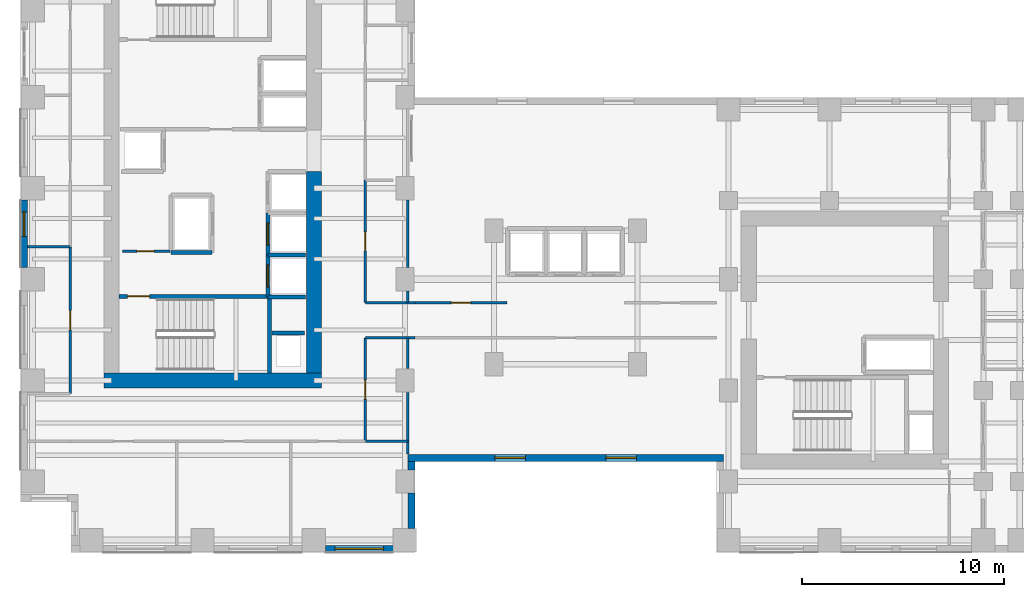
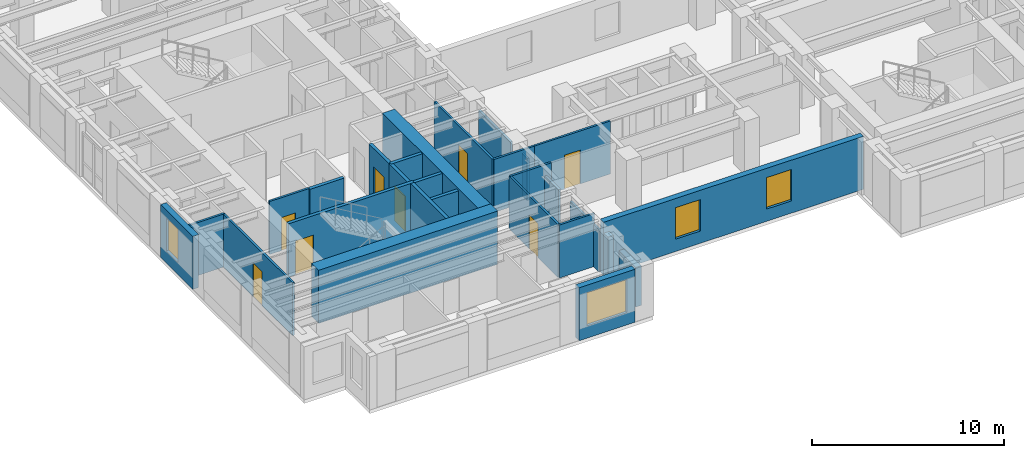
# One storey, part 7 of 14: 28 walls, 8 doors, 4 windows, 12 openings.
"""IFC4 building model written with IfcOpenShell, lengths in metres."""

from ifc_helpers import new_model, si_unit, direction, frame, frame_2d, origin, place, context, subcontext, project, spatial, rectangle, extrude, source, transform, mapped, material, layer, layer_set, type_object, element, fill, save


model = new_model("IFC4")

# Units and contexts
model_context = context("Model", 3, precision=1e-05, world=origin(), true_north=direction((0.0, 1.0)))
body_context = subcontext(model_context, "Body", "Model", "MODEL_VIEW")
ifc_project = project(units=[si_unit("LENGTHUNIT", "METRE"), si_unit("AREAUNIT", "SQUARE_METRE"), si_unit("VOLUMEUNIT", "CUBIC_METRE"), si_unit("PLANEANGLEUNIT", "RADIAN"), si_unit("MASSUNIT", "GRAM", prefix="KILO")], contexts=[model_context])

# Site, building, storey
site_placement = place(None, origin())
site = spatial("IfcSite", under=ifc_project, at=site_placement, CompositionType="ELEMENT")
building_placement = place(site_placement, origin())
building = spatial("IfcBuilding", under=site, at=building_placement, Name="Kharzan Plaza Tower", CompositionType="ELEMENT")
storey_placement = place(building_placement, frame((0.0, 0.0, 81.0)))
storey = spatial("IfcBuildingStorey", under=building, at=storey_placement, Name="L21", CompositionType="ELEMENT", Elevation=81.0)

# Wall, opening, window
ifc_material_1 = material(Name="Concrete C40/50", Category="concrete")
ifc_layer_1 = layer(ifc_material_1, 0.35009765625)
ifc_layer_set_1 = layer_set([ifc_layer_1], Name="Concrete C40/50")
wall_type_1 = type_object("IfcWallType", Name="WL-EXT-MAS-Z2", PredefinedType="SOLIDWALL", material=ifc_layer_set_1)
wall_1_placement = place(storey_placement, frame((0.175048828125, 17.427001953125, 0.0), z_axis=(0.0, 0.0, 1.0), x_axis=(0.0, -1.0, 0.0)))
wall_1 = element("IfcWall", 1, at=wall_1_placement, inside=storey, type_object=wall_type_1, Name="L21 Masonry-Frame Exterior Wall 17", PredefinedType="SOLIDWALL", context=body_context, shape_type="SweptSolid", body=[
    extrude(rectangle(XDim=3.35400390625, YDim=0.35009765625, at=frame_2d((1.677001953125, 0.0))), origin(), (0.0, 0.0, 1.0), 3.364990234375),
])
opening_1_placement = place(wall_1_placement, frame((0.598388671875, 0.0, 0.780029296875)))
opening_1 = element("IfcOpeningElement", 2, at=opening_1_placement, cuts=wall_1, Name="Opening W3", PredefinedType="OPENING", context=body_context, shape_type="SweptSolid", body=[
    extrude(rectangle(XDim=1.199951171875, YDim=2.10009765625, at=frame_2d((0.60009765625, 1.050048828125))), frame((0.0, 0.18505859375, 0.0), z_axis=(0.0, -1.0, 0.0), x_axis=(1.0, 0.0, 0.0)), (0.0, 0.0, 1.0), 0.3701171875),
])
ifc_material_2 = material(Name="Low-E Double Glazing", Category="glass")
window_type_1 = type_object("IfcWindowType", Name="WN-REC-1200x2100", PartitioningType="SINGLE_PANEL", PredefinedType="WINDOW", material=ifc_material_2)
shared_shape_1 = source(origin(), body_context, "Body", "SweptSolid", [
    extrude(rectangle(XDim=1.199951171875, YDim=2.10009765625, at=frame_2d((0.60009765625, 1.050048828125))), frame((0.0, 0.030029296875, 0.0), z_axis=(0.0, -1.0, 0.0), x_axis=(1.0, 0.0, 0.0)), (0.0, 0.0, 1.0), 0.06005859375),
])
window_1_placement = place(opening_1_placement, origin())
window_1 = element("IfcWindow", 3, at=window_1_placement, inside=storey, type_object=window_type_1, Name="L21 Recessed Solar-Control Window 17-1", OverallHeight=2.10009765625, OverallWidth=1.199951171875, PartitioningType="SINGLE_PANEL", PredefinedType="WINDOW", context=body_context, shape_type="MappedRepresentation", body=[
    mapped(shared_shape_1, transform((0.0, 0.0, 0.0), x_axis=(1.0, 0.0, 0.0), y_axis=(0.0, 1.0, 0.0), z_axis=(0.0, 0.0, 1.0))),
])
fill(opening_1, window_1)

wall_2_placement = place(storey_placement, frame((15.072998046875, 0.175048828125, 0.0), z_axis=(0.0, 0.0, 1.0), x_axis=(1.0, 0.0, 0.0)))
wall_2 = element("IfcWall", 4, at=wall_2_placement, inside=storey, type_object=wall_type_1, Name="L21 Masonry-Frame Exterior Wall 25", PredefinedType="SOLIDWALL", context=body_context, shape_type="SweptSolid", body=[
    extrude(rectangle(XDim=3.35400390625, YDim=0.35009765625, at=frame_2d((1.677001953125, 0.0))), origin(), (0.0, 0.0, 1.0), 3.364990234375),
])
opening_2_placement = place(wall_2_placement, frame((0.47705078125, 0.0, 0.780029296875)))
opening_2 = element("IfcOpeningElement", 5, at=opening_2_placement, cuts=wall_2, Name="Opening W2", PredefinedType="OPENING", context=body_context, shape_type="SweptSolid", body=[
    extrude(rectangle(XDim=2.39990234375, YDim=2.10009765625, at=frame_2d((1.199951171875, 1.050048828125))), frame((0.0, 0.18505859375, 0.0), z_axis=(0.0, -1.0, 0.0), x_axis=(1.0, 0.0, 0.0)), (0.0, 0.0, 1.0), 0.3701171875),
])
window_type_2 = type_object("IfcWindowType", Name="WN-REC-2400x2100", PartitioningType="SINGLE_PANEL", PredefinedType="WINDOW", material=ifc_material_2)
shared_shape_2 = source(origin(), body_context, "Body", "SweptSolid", [
    extrude(rectangle(XDim=2.39990234375, YDim=2.10009765625, at=frame_2d((1.199951171875, 1.050048828125))), frame((0.0, 0.030029296875, 0.0), z_axis=(0.0, -1.0, 0.0), x_axis=(1.0, 0.0, 0.0)), (0.0, 0.0, 1.0), 0.06005859375),
])
window_2_placement = place(opening_2_placement, origin())
window_2 = element("IfcWindow", 6, at=window_2_placement, inside=storey, type_object=window_type_2, Name="L21 Wide Recessed Solar-Control Window 25-1", OverallHeight=2.10009765625, OverallWidth=2.39990234375, PartitioningType="SINGLE_PANEL", PredefinedType="WINDOW", context=body_context, shape_type="MappedRepresentation", body=[
    mapped(shared_shape_2, transform((0.0, 0.0, 0.0), x_axis=(1.0, 0.0, 0.0), y_axis=(0.0, 1.0, 0.0), z_axis=(0.0, 0.0, 1.0))),
])
fill(opening_2, window_2)

# Wall, openings, windows
wall_3_placement = place(storey_placement, frame((19.14990234375, 4.675048828125, 0.0), z_axis=(0.0, 0.0, 1.0), x_axis=(1.0, 0.0, 0.0)))
wall_3 = element("IfcWall", 7, at=wall_3_placement, inside=storey, type_object=wall_type_1, Name="L21 Masonry-Frame Exterior Wall 28", PredefinedType="SOLIDWALL", context=body_context, shape_type="SweptSolid", body=[
    extrude(rectangle(XDim=15.60009765625, YDim=0.35009765625, at=frame_2d((7.800048828125, 0.0))), origin(), (0.0, 0.0, 1.0), 3.364990234375),
])
opening_3_placement = place(wall_3_placement, frame((4.306640625, 0.0, 0.780029296875)))
opening_3 = element("IfcOpeningElement", 8, at=opening_3_placement, cuts=wall_3, Name="Opening W5", PredefinedType="OPENING", context=body_context, shape_type="SweptSolid", body=[
    extrude(rectangle(XDim=1.5, YDim=2.0, at=frame_2d((0.75, 1.0))), frame((0.0, 0.18505859375, 0.0), z_axis=(0.0, -1.0, 0.0), x_axis=(1.0, 0.0, 0.0)), (0.0, 0.0, 1.0), 0.3701171875),
])
opening_4_placement = place(wall_3_placement, frame((9.793212890625, 0.0, 0.780029296875)))
opening_4 = element("IfcOpeningElement", 9, at=opening_4_placement, cuts=wall_3, Name="Opening W5", PredefinedType="OPENING", context=body_context, shape_type="SweptSolid", body=[
    extrude(rectangle(XDim=1.5, YDim=2.0, at=frame_2d((0.75, 1.0))), frame((0.0, 0.18505859375, 0.0), z_axis=(0.0, -1.0, 0.0), x_axis=(1.0, 0.0, 0.0)), (0.0, 0.0, 1.0), 0.3701171875),
])
window_type_3 = type_object("IfcWindowType", Name="WN-SLT-1500x2000", PartitioningType="SINGLE_PANEL", PredefinedType="WINDOW", material=ifc_material_2)
shared_shape_3 = source(origin(), body_context, "Body", "SweptSolid", [
    extrude(rectangle(XDim=1.5, YDim=2.0, at=frame_2d((0.75, 1.0))), frame((0.0, 0.030029296875, 0.0), z_axis=(0.0, -1.0, 0.0), x_axis=(1.0, 0.0, 0.0)), (0.0, 0.0, 1.0), 0.06005859375),
])
window_3_placement = place(opening_3_placement, origin())
window_3 = element("IfcWindow", 10, at=window_3_placement, inside=storey, type_object=window_type_3, Name="L21 Recessed Solar-Control Window 28-1", OverallHeight=2.0, OverallWidth=1.5, PartitioningType="SINGLE_PANEL", PredefinedType="WINDOW", context=body_context, shape_type="MappedRepresentation", body=[
    mapped(shared_shape_3, transform((0.0, 0.0, 0.0), x_axis=(1.0, 0.0, 0.0), y_axis=(0.0, 1.0, 0.0), z_axis=(0.0, 0.0, 1.0))),
])
fill(opening_3, window_3)
window_4_placement = place(opening_4_placement, origin())
window_4 = element("IfcWindow", 11, at=window_4_placement, inside=storey, type_object=window_type_3, Name="L21 Recessed Solar-Control Window 28-2", OverallHeight=2.0, OverallWidth=1.5, PartitioningType="SINGLE_PANEL", PredefinedType="WINDOW", context=body_context, shape_type="MappedRepresentation", body=[
    mapped(shared_shape_3, transform((0.0, 0.0, 0.0), x_axis=(1.0, 0.0, 0.0), y_axis=(0.0, 1.0, 0.0), z_axis=(0.0, 0.0, 1.0))),
])
fill(opening_4, window_4)

# Wall, opening, door
ifc_material_3 = material(Name="Fire-Rated Gypsum Board Partition", Category="gypsum")
ifc_layer_2 = layer(ifc_material_3, 0.125)
ifc_layer_set_2 = layer_set([ifc_layer_2], Name="Fire-Rated Gypsum Board Partition")
wall_type_2 = type_object("IfcWallType", Name="WL-INT-PART-125", PredefinedType="PARTITIONING", material=ifc_layer_set_2)
wall_4_placement = place(storey_placement, frame((5.050048828125, 14.8798828125, 0.0), z_axis=(0.0, 0.0, 1.0), x_axis=(1.0, 0.0, 0.0)))
wall_4 = element("IfcWall", 12, at=wall_4_placement, inside=storey, type_object=wall_type_2, Name="L21 Interior Partition CA-K0", PredefinedType="PARTITIONING", context=body_context, shape_type="SweptSolid", body=[
    extrude(rectangle(XDim=2.349853515625, YDim=0.125, at=frame_2d((1.1748046875, 0.0))), origin(), (0.0, 0.0, 1.0), 3.364990234375),
])
opening_5_placement = place(wall_4_placement, frame((0.699951171875, 0.0, 0.0)))
opening_5 = element("IfcOpeningElement", 13, at=opening_5_placement, cuts=wall_4, Name="Opening RD1", PredefinedType="OPENING", context=body_context, shape_type="SweptSolid", body=[
    extrude(rectangle(XDim=0.85009765625, YDim=2.10009765625, at=frame_2d((0.425048828125, 1.050048828125))), frame((0.0, 0.072509765625, 0.0), z_axis=(0.0, -1.0, 0.0), x_axis=(1.0, 0.0, 0.0)), (0.0, 0.0, 1.0), 0.14501953125),
])
ifc_material_4 = material(Name="Powder-Coated Fire-Rated Steel", Category="steel")
door_type_1 = type_object("IfcDoorType", Name="DR-RISER-900", OperationType="NOTDEFINED", PredefinedType="DOOR", material=ifc_material_4)
shared_shape_4 = source(origin(), body_context, "Body", "SweptSolid", [
    extrude(rectangle(XDim=0.85009765625, YDim=2.10009765625, at=frame_2d((0.425048828125, 1.050048828125))), frame((0.0, 0.02490234375, 0.0), z_axis=(0.0, -1.0, 0.0), x_axis=(1.0, 0.0, 0.0)), (0.0, 0.0, 1.0), 0.050048828125),
])
door_1_placement = place(opening_5_placement, origin())
door_1 = element("IfcDoor", 14, at=door_1_placement, inside=storey, type_object=door_type_1, Name="L21 Cleaners Store Door", OperationType="SINGLE_SWING_LEFT", OverallHeight=2.10009765625, OverallWidth=0.85009765625, PredefinedType="DOOR", context=body_context, shape_type="MappedRepresentation", body=[
    mapped(shared_shape_4, transform((0.0, 0.0, 0.0), x_axis=(1.0, 0.0, 0.0), y_axis=(0.0, 1.0, 0.0), z_axis=(0.0, 0.0, 1.0))),
])
fill(opening_5, door_1)

wall_5_placement = place(storey_placement, frame((17.050048828125, 12.35009765625, 0.0), z_axis=(0.0, 0.0, 1.0), x_axis=(0.0, 1.0, 0.0)))
wall_5 = element("IfcWall", 15, at=wall_5_placement, inside=storey, type_object=wall_type_2, Name="L21 Interior Partition SH-AEWN1", PredefinedType="PARTITIONING", context=body_context, shape_type="SweptSolid", body=[
    extrude(rectangle(XDim=6.0498046875, YDim=0.125, at=frame_2d((3.02490234375, 0.0))), origin(), (0.0, 0.0, 1.0), 3.364990234375),
])
opening_6_placement = place(wall_5_placement, frame((2.550048828125, 0.0, 0.0)))
opening_6 = element("IfcOpeningElement", 16, at=opening_6_placement, cuts=wall_5, Name="Opening OD1", PredefinedType="OPENING", context=body_context, shape_type="SweptSolid", body=[
    extrude(rectangle(XDim=0.949951171875, YDim=2.14990234375, at=frame_2d((0.47509765625, 1.074951171875))), frame((0.0, 0.072509765625, 0.0), z_axis=(0.0, -1.0, 0.0), x_axis=(1.0, 0.0, 0.0)), (0.0, 0.0, 1.0), 0.14501953125),
])
ifc_material_5 = material(Name="Acoustic Solid-Core Stained Oak", Category="timber")
door_type_2 = type_object("IfcDoorType", Name="DR-OFF-SINGLE", OperationType="NOTDEFINED", PredefinedType="DOOR", material=ifc_material_5)
shared_shape_5 = source(origin(), body_context, "Body", "SweptSolid", [
    extrude(rectangle(XDim=0.949951171875, YDim=2.14990234375, at=frame_2d((0.47509765625, 1.074951171875))), frame((0.0, 0.02490234375, 0.0), z_axis=(0.0, -1.0, 0.0), x_axis=(1.0, 0.0, 0.0)), (0.0, 0.0, 1.0), 0.050048828125),
])
door_2_placement = place(opening_6_placement, origin())
door_2 = element("IfcDoor", 17, at=door_2_placement, inside=storey, type_object=door_type_2, Name="L21 Slot Collaboration Door", OperationType="SINGLE_SWING_LEFT", OverallHeight=2.14990234375, OverallWidth=0.949951171875, PredefinedType="DOOR", context=body_context, shape_type="MappedRepresentation", body=[
    mapped(shared_shape_5, transform((0.0, 0.0, 0.0), x_axis=(1.0, 0.0, 0.0), y_axis=(0.0, 1.0, 0.0), z_axis=(0.0, 0.0, 1.0))),
])
fill(opening_6, door_2)

wall_6_placement = place(storey_placement, frame((17.050048828125, 5.5, 0.0), z_axis=(0.0, 0.0, 1.0), x_axis=(0.0, 1.0, 0.0)))
wall_6 = element("IfcWall", 18, at=wall_6_placement, inside=storey, type_object=wall_type_2, Name="L21 Interior Partition SH-AEWS", PredefinedType="PARTITIONING", context=body_context, shape_type="SweptSolid", body=[
    extrude(rectangle(XDim=5.10009765625, YDim=0.125, at=frame_2d((2.550048828125, 0.0))), origin(), (0.0, 0.0, 1.0), 3.364990234375),
])
opening_7_placement = place(wall_6_placement, frame((2.074951171875, 0.0, 0.0)))
opening_7 = element("IfcOpeningElement", 19, at=opening_7_placement, cuts=wall_6, Name="Opening OD1", PredefinedType="OPENING", context=body_context, shape_type="SweptSolid", body=[
    extrude(rectangle(XDim=0.949951171875, YDim=2.14990234375, at=frame_2d((0.47509765625, 1.074951171875))), frame((0.0, 0.072509765625, 0.0), z_axis=(0.0, -1.0, 0.0), x_axis=(1.0, 0.0, 0.0)), (0.0, 0.0, 1.0), 0.14501953125),
])
door_3_placement = place(opening_7_placement, origin())
door_3 = element("IfcDoor", 20, at=door_3_placement, inside=storey, type_object=door_type_2, Name="L21 Slot South Office Door", OperationType="SINGLE_SWING_RIGHT", OverallHeight=2.14990234375, OverallWidth=0.949951171875, PredefinedType="DOOR", context=body_context, shape_type="MappedRepresentation", body=[
    mapped(shared_shape_5, transform((0.0, 0.0, 0.0), x_axis=(1.0, 0.0, 0.0), y_axis=(0.0, 1.0, 0.0), z_axis=(0.0, 0.0, 1.0))),
])
fill(opening_7, door_3)

wall_7_placement = place(storey_placement, frame((19.5, 12.35009765625, 0.0), z_axis=(0.0, 0.0, 1.0), x_axis=(1.0, 0.0, 0.0)))
wall_7 = element("IfcWall", 21, at=wall_7_placement, inside=storey, type_object=wall_type_2, Name="L21 Interior Partition SH-SPNW1", PredefinedType="PARTITIONING", context=body_context, shape_type="SweptSolid", body=[
    extrude(rectangle(XDim=4.550048828125, YDim=0.125, at=frame_2d((2.27490234375, 0.0))), origin(), (0.0, 0.0, 1.0), 3.364990234375),
])
opening_8_placement = place(wall_7_placement, frame((1.800048828125, 0.0, 0.0)))
opening_8 = element("IfcOpeningElement", 22, at=opening_8_placement, cuts=wall_7, Name="Opening OD1", PredefinedType="OPENING", context=body_context, shape_type="SweptSolid", body=[
    extrude(rectangle(XDim=0.949951171875, YDim=2.14990234375, at=frame_2d((0.47509765625, 1.074951171875))), frame((0.0, 0.072509765625, 0.0), z_axis=(0.0, -1.0, 0.0), x_axis=(1.0, 0.0, 0.0)), (0.0, 0.0, 1.0), 0.14501953125),
])
door_4_placement = place(opening_8_placement, origin())
door_4 = element("IfcDoor", 23, at=door_4_placement, inside=storey, type_object=door_type_2, Name="L21 North-West Spine Door", OperationType="SINGLE_SWING_RIGHT", OverallHeight=2.14990234375, OverallWidth=0.949951171875, PredefinedType="DOOR", context=body_context, shape_type="MappedRepresentation", body=[
    mapped(shared_shape_5, transform((0.0, 0.0, 0.0), x_axis=(1.0, 0.0, 0.0), y_axis=(0.0, 1.0, 0.0), z_axis=(0.0, 0.0, 1.0))),
])
fill(opening_8, door_4)

wall_8_placement = place(storey_placement, frame((2.449951171875, 7.85009765625, 0.0), z_axis=(0.0, 0.0, 1.0), x_axis=(0.0, 1.0, 0.0)))
wall_8 = element("IfcWall", 24, at=wall_8_placement, inside=storey, type_object=wall_type_2, Name="L21 Interior Partition SH-WW-1", PredefinedType="PARTITIONING", context=body_context, shape_type="SweptSolid", body=[
    extrude(rectangle(XDim=7.25, YDim=0.125, at=frame_2d((3.625, 0.0))), origin(), (0.0, 0.0, 1.0), 3.364990234375),
])
opening_9_placement = place(wall_8_placement, frame((3.14990234375, 0.0, 0.0)))
opening_9 = element("IfcOpeningElement", 25, at=opening_9_placement, cuts=wall_8, Name="Opening OD1", PredefinedType="OPENING", context=body_context, shape_type="SweptSolid", body=[
    extrude(rectangle(XDim=0.949951171875, YDim=2.14990234375, at=frame_2d((0.47509765625, 1.074951171875))), frame((0.0, 0.072509765625, 0.0), z_axis=(0.0, -1.0, 0.0), x_axis=(1.0, 0.0, 0.0)), (0.0, 0.0, 1.0), 0.14501953125),
])
door_5_placement = place(opening_9_placement, origin())
door_5 = element("IfcDoor", 26, at=door_5_placement, inside=storey, type_object=door_type_2, Name="L21 Conference Room Door", OperationType="SINGLE_SWING_RIGHT", OverallHeight=2.14990234375, OverallWidth=0.949951171875, PredefinedType="DOOR", context=body_context, shape_type="MappedRepresentation", body=[
    mapped(shared_shape_5, transform((0.0, 0.0, 0.0), x_axis=(1.0, 0.0, 0.0), y_axis=(0.0, 1.0, 0.0), z_axis=(0.0, 0.0, 1.0))),
])
fill(opening_9, door_5)

ifc_layer_3 = layer(ifc_material_1, 0.199951171875)
ifc_layer_set_3 = layer_set([ifc_layer_3], Name="Concrete C40/50")
wall_type_3 = type_object("IfcWallType", Name="WL-INT-SHAFT-200", PredefinedType="PARTITIONING", material=ifc_layer_set_3)
wall_9_placement = place(storey_placement, frame((12.22998046875, 12.6298828125, 0.0), z_axis=(0.0, 0.0, 1.0), x_axis=(0.0, 1.0, 0.0)))
wall_9 = element("IfcWall", 27, at=wall_9_placement, inside=storey, type_object=wall_type_3, Name="L21 Interior Partition SHF-PL-H1-W", PredefinedType="PARTITIONING", context=body_context, shape_type="SweptSolid", body=[
    extrude(rectangle(XDim=2.070068359375, YDim=0.199951171875, at=frame_2d((1.03515625, 0.0))), origin(), (0.0, 0.0, 1.0), 3.364990234375),
])
opening_10_placement = place(wall_9_placement, frame((0.485107421875, 0.0, 0.0)))
opening_10 = element("IfcOpeningElement", 28, at=opening_10_placement, cuts=wall_9, Name="Opening LD", PredefinedType="OPENING", context=body_context, shape_type="SweptSolid", body=[
    extrude(rectangle(XDim=1.10009765625, YDim=2.199951171875, at=frame_2d((0.550048828125, 1.10009765625))), frame((0.0, 0.10986328125, 0.0), z_axis=(0.0, -1.0, 0.0), x_axis=(1.0, 0.0, 0.0)), (0.0, 0.0, 1.0), 0.219970703125),
])
ifc_material_6 = material(Name="Brushed Stainless Steel", Category="steel")
door_type_3 = type_object("IfcDoorType", Name="DR-LIFT-SLIDE", OperationType="SLIDING_TO_LEFT", PredefinedType="DOOR", material=ifc_material_6)
shared_shape_6 = source(origin(), body_context, "Body", "SweptSolid", [
    extrude(rectangle(XDim=1.10009765625, YDim=2.199951171875, at=frame_2d((0.550048828125, 1.10009765625))), frame((0.0, 0.02490234375, 0.0), z_axis=(0.0, -1.0, 0.0), x_axis=(1.0, 0.0, 0.0)), (0.0, 0.0, 1.0), 0.050048828125),
])
door_6_placement = place(opening_10_placement, origin())
door_6 = element("IfcDoor", 29, at=door_6_placement, inside=storey, type_object=door_type_3, Name="L21 High-Rise Passenger Lift PL-H1 Sliding Landing Door", OperationType="SLIDING_TO_LEFT", OverallHeight=2.199951171875, OverallWidth=1.10009765625, PredefinedType="DOOR", context=body_context, shape_type="MappedRepresentation", body=[
    mapped(shared_shape_6, transform((0.0, 0.0, 0.0), x_axis=(1.0, 0.0, 0.0), y_axis=(0.0, 1.0, 0.0), z_axis=(0.0, 0.0, 1.0))),
])
fill(opening_10, door_6)

wall_10_placement = place(storey_placement, frame((12.22998046875, 14.699951171875, 0.0), z_axis=(0.0, 0.0, 1.0), x_axis=(0.0, 1.0, 0.0)))
wall_10 = element("IfcWall", 30, at=wall_10_placement, inside=storey, type_object=wall_type_3, Name="L21 Interior Partition SHF-PL-H2-W", PredefinedType="PARTITIONING", context=body_context, shape_type="SweptSolid", body=[
    extrude(rectangle(XDim=2.070068359375, YDim=0.199951171875, at=frame_2d((1.03515625, 0.0))), origin(), (0.0, 0.0, 1.0), 3.364990234375),
])
opening_11_placement = place(wall_10_placement, frame((0.485107421875, 0.0, 0.0)))
opening_11 = element("IfcOpeningElement", 31, at=opening_11_placement, cuts=wall_10, Name="Opening LD", PredefinedType="OPENING", context=body_context, shape_type="SweptSolid", body=[
    extrude(rectangle(XDim=1.10009765625, YDim=2.199951171875, at=frame_2d((0.550048828125, 1.10009765625))), frame((0.0, 0.10986328125, 0.0), z_axis=(0.0, -1.0, 0.0), x_axis=(1.0, 0.0, 0.0)), (0.0, 0.0, 1.0), 0.219970703125),
])
door_7_placement = place(opening_11_placement, origin())
door_7 = element("IfcDoor", 32, at=door_7_placement, inside=storey, type_object=door_type_3, Name="L21 High-Rise Passenger Lift PL-H2 Sliding Landing Door", OperationType="SLIDING_TO_LEFT", OverallHeight=2.199951171875, OverallWidth=1.10009765625, PredefinedType="DOOR", context=body_context, shape_type="MappedRepresentation", body=[
    mapped(shared_shape_6, transform((0.0, 0.0, 0.0), x_axis=(1.0, 0.0, 0.0), y_axis=(0.0, 1.0, 0.0), z_axis=(0.0, 0.0, 1.0))),
])
fill(opening_11, door_7)

ifc_material_7 = material(Name="Concrete C50/60", Category="concrete")
ifc_layer_4 = layer(ifc_material_7, 0.199951171875)
ifc_layer_set_4 = layer_set([ifc_layer_4], Name="Concrete C50/60")
wall_type_4 = type_object("IfcWallType", Name="WL-SHAFT-RC200", PredefinedType="SHEAR", material=ifc_layer_set_4)
wall_11_placement = place(storey_placement, frame((4.876953125, 12.655029296875, 0.0), z_axis=(0.0, 0.0, 1.0), x_axis=(1.0, 0.0, 0.0)))
wall_11 = element("IfcWall", 33, at=wall_11_placement, inside=storey, type_object=wall_type_4, Name="L21 Stair ST-1 North RC Shaft Wall", PredefinedType="SHEAR", context=body_context, shape_type="SweptSolid", body=[
    extrude(rectangle(XDim=7.528076171875, YDim=0.199951171875, at=frame_2d((3.76416015625, 0.0))), origin(), (0.0, 0.0, 1.0), 3.3798828125),
])
opening_12_placement = place(wall_11_placement, frame((0.39990234375, 0.0, 0.0)))
opening_12 = element("IfcOpeningElement", 34, at=opening_12_placement, cuts=wall_11, Name="Opening SD1", PredefinedType="OPENING", context=body_context, shape_type="SweptSolid", body=[
    extrude(rectangle(XDim=1.10009765625, YDim=2.14990234375, at=frame_2d((0.550048828125, 1.074951171875))), frame((0.0, 0.10986328125, 0.0), z_axis=(0.0, -1.0, 0.0), x_axis=(1.0, 0.0, 0.0)), (0.0, 0.0, 1.0), 0.219970703125),
])
ifc_material_8 = material(Name="Fire-Rated Hollow Galvanized Steel", Category="steel")
door_type_4 = type_object("IfcDoorType", Name="DR-STAIR-FD120", OperationType="NOTDEFINED", PredefinedType="DOOR", material=ifc_material_8)
shared_shape_7 = source(origin(), body_context, "Body", "SweptSolid", [
    extrude(rectangle(XDim=1.10009765625, YDim=2.14990234375, at=frame_2d((0.550048828125, 1.074951171875))), frame((0.0, 0.02490234375, 0.0), z_axis=(0.0, -1.0, 0.0), x_axis=(1.0, 0.0, 0.0)), (0.0, 0.0, 1.0), 0.050048828125),
])
door_8_placement = place(opening_12_placement, origin())
door_8 = element("IfcDoor", 35, at=door_8_placement, inside=storey, type_object=door_type_4, Name="L21 Stair ST-1 Fire Exit Door", OperationType="SINGLE_SWING_LEFT", OverallHeight=2.14990234375, OverallWidth=1.10009765625, PredefinedType="DOOR", context=body_context, shape_type="MappedRepresentation", body=[
    mapped(shared_shape_7, transform((0.0, 0.0, 0.0), x_axis=(1.0, 0.0, 0.0), y_axis=(0.0, 1.0, 0.0), z_axis=(0.0, 0.0, 1.0))),
])
fill(opening_12, door_8)

# Walls
shared_shape_8 = source(origin(), body_context, "Body", "SweptSolid", [
    extrude(rectangle(XDim=2.0400390625, YDim=0.199951171875, at=frame_2d((1.02001953125, 0.0))), origin(), (0.0, 0.0, 1.0), 3.364990234375),
])
wall_12_placement = place(storey_placement, frame((7.429931640625, 14.830078125, 0.0), z_axis=(0.0, 0.0, 1.0), x_axis=(1.0, 0.0, 0.0)))
element("IfcWall", 36, at=wall_12_placement, inside=storey, type_object=wall_type_3, Name="L21 Interior Partition SHF-SVL-1-S", PredefinedType="PARTITIONING", context=body_context, shape_type="MappedRepresentation", body=[
    mapped(shared_shape_8, transform((0.0, 0.0, 0.0), x_axis=(1.0, 0.0, 0.0), y_axis=(0.0, 1.0, 0.0), z_axis=(0.0, 0.0, 1.0))),
])
shared_shape_9 = source(origin(), body_context, "Body", "SweptSolid", [
    extrude(rectangle(XDim=2.097900390625, YDim=0.125, at=frame_2d((1.048828125, 0.0))), origin(), (0.0, 0.0, 1.0), 3.364990234375),
])
wall_13_placement = place(storey_placement, frame((0.35205078125, 15.10009765625, 0.0), z_axis=(0.0, 0.0, 1.0), x_axis=(1.0, 0.0, 0.0)))
element("IfcWall", 37, at=wall_13_placement, inside=storey, type_object=wall_type_2, Name="L21 Interior Partition SH-WH-1", PredefinedType="PARTITIONING", context=body_context, shape_type="MappedRepresentation", body=[
    mapped(shared_shape_9, transform((0.0, 0.0, 0.0), x_axis=(1.0, 0.0, 0.0), y_axis=(0.0, 1.0, 0.0), z_axis=(0.0, 0.0, 1.0))),
])
shared_shape_10 = source(origin(), body_context, "Body", "SweptSolid", [
    extrude(rectangle(XDim=2.449951171875, YDim=0.125, at=frame_2d((1.22509765625, 0.0))), origin(), (0.0, 0.0, 1.0), 3.364990234375),
])
for number, where, z_axis, x_axis, name in (
    (38, (17.050048828125, 12.35009765625, 0.0), (0.0, 0.0, 1.0), (1.0, 0.0, 0.0), "L21 Interior Partition SH-SPNW0"),
    (39, (17.050048828125, 10.60009765625, 0.0), (0.0, 0.0, 1.0), (1.0, 0.0, 0.0), "L21 Interior Partition SH-SPS0"),
):
    element("IfcWall", number, at=place(storey_placement, frame(where, z_axis=z_axis, x_axis=x_axis)), inside=storey, type_object=wall_type_2, Name=name, PredefinedType="PARTITIONING", context=body_context, shape_type="MappedRepresentation", body=[
        mapped(shared_shape_10, transform((0.0, 0.0, 0.0), x_axis=(1.0, 0.0, 0.0), y_axis=(0.0, 1.0, 0.0), z_axis=(0.0, 0.0, 1.0))),
    ])
shared_shape_11 = source(origin(), body_context, "Body", "SweptSolid", [
    extrude(rectangle(XDim=2.099853515625, YDim=0.125, at=frame_2d((1.0498046875, 0.0))), origin(), (0.0, 0.0, 1.0), 3.364990234375),
])
wall_14_placement = place(storey_placement, frame((17.050048828125, 5.5, 0.0), z_axis=(0.0, 0.0, 1.0), x_axis=(1.0, 0.0, 0.0)))
element("IfcWall", 40, at=wall_14_placement, inside=storey, type_object=wall_type_2, Name="L21 Interior Partition SH-SSE-3", PredefinedType="PARTITIONING", context=body_context, shape_type="MappedRepresentation", body=[
    mapped(shared_shape_11, transform((0.0, 0.0, 0.0), x_axis=(1.0, 0.0, 0.0), y_axis=(0.0, 1.0, 0.0), z_axis=(0.0, 0.0, 1.0))),
])
shared_shape_12 = source(origin(), body_context, "Body", "SweptSolid", [
    extrude(rectangle(XDim=1.75390625, YDim=0.35009765625, at=frame_2d((0.876953125, 0.0))), origin(), (0.0, 0.0, 1.0), 2.51904296875),
])
wall_15_placement = place(storey_placement, frame((19.324951171875, 1.173095703125, 0.0), z_axis=(0.0, 0.0, 1.0), x_axis=(0.0, 1.0, 0.0)))
element("IfcWall", 41, at=wall_15_placement, inside=storey, type_object=wall_type_1, Name="L21 Masonry-Frame Exterior Wall 26", PredefinedType="SOLIDWALL", context=body_context, shape_type="MappedRepresentation", body=[
    mapped(shared_shape_12, transform((0.0, 0.0, 0.0), x_axis=(1.0, 0.0, 0.0), y_axis=(0.0, 1.0, 0.0), z_axis=(0.0, 0.0, 1.0))),
])
shared_shape_13 = source(origin(), body_context, "Body", "SweptSolid", [
    extrude(rectangle(XDim=0.428955078125, YDim=0.35009765625, at=frame_2d((0.21435546875, 0.0))), origin(), (0.0, 0.0, 1.0), 2.677001953125),
])
wall_16_placement = place(storey_placement, frame((19.324951171875, 4.072998046875, 0.0), z_axis=(0.0, 0.0, 1.0), x_axis=(0.0, 1.0, 0.0)))
element("IfcWall", 42, at=wall_16_placement, inside=storey, type_object=wall_type_1, Name="L21 Masonry-Frame Exterior Wall 27", PredefinedType="SOLIDWALL", context=body_context, shape_type="MappedRepresentation", body=[
    mapped(shared_shape_13, transform((0.0, 0.0, 0.0), x_axis=(1.0, 0.0, 0.0), y_axis=(0.0, 1.0, 0.0), z_axis=(0.0, 0.0, 1.0))),
])
shared_shape_14 = source(origin(), body_context, "Body", "SweptSolid", [
    extrude(rectangle(XDim=0.559814453125, YDim=0.125, at=frame_2d((0.27978515625, 0.0))), origin(), (0.0, 0.0, 1.0), 2.677001953125),
])
wall_17_placement = place(storey_placement, frame((19.14990234375, 12.35009765625, 0.0), z_axis=(0.0, 0.0, 1.0), x_axis=(0.0, 1.0, 0.0)))
element("IfcWall", 43, at=wall_17_placement, inside=storey, type_object=wall_type_2, Name="L21 Interior Partition SH-AEN-DIV-S1", PredefinedType="PARTITIONING", context=body_context, shape_type="MappedRepresentation", body=[
    mapped(shared_shape_14, transform((0.0, 0.0, 0.0), x_axis=(1.0, 0.0, 0.0), y_axis=(0.0, 1.0, 0.0), z_axis=(0.0, 0.0, 1.0))),
])
shared_shape_15 = source(origin(), body_context, "Body", "SweptSolid", [
    extrude(rectangle(XDim=3.31982421875, YDim=0.125, at=frame_2d((1.659912109375, 0.0))), origin(), (0.0, 0.0, 1.0), 2.677001953125),
])
wall_18_placement = place(storey_placement, frame((19.14990234375, 14.090087890625, 0.0), z_axis=(0.0, 0.0, 1.0), x_axis=(0.0, 1.0, 0.0)))
element("IfcWall", 44, at=wall_18_placement, inside=storey, type_object=wall_type_2, Name="L21 Interior Partition SH-AEN-DIV-S2", PredefinedType="PARTITIONING", context=body_context, shape_type="MappedRepresentation", body=[
    mapped(shared_shape_15, transform((0.0, 0.0, 0.0), x_axis=(1.0, 0.0, 0.0), y_axis=(0.0, 1.0, 0.0), z_axis=(0.0, 0.0, 1.0))),
])
shared_shape_16 = source(origin(), body_context, "Body", "SweptSolid", [
    extrude(rectangle(XDim=3.057861328125, YDim=0.125, at=frame_2d((1.52880859375, 0.0))), origin(), (0.0, 0.0, 1.0), 2.677001953125),
])
wall_19_placement = place(storey_placement, frame((19.14990234375, 4.85205078125, 0.0), z_axis=(0.0, 0.0, 1.0), x_axis=(0.0, 1.0, 0.0)))
element("IfcWall", 45, at=wall_19_placement, inside=storey, type_object=wall_type_2, Name="L21 Interior Partition SH-AESP-DIV-S1", PredefinedType="PARTITIONING", context=body_context, shape_type="MappedRepresentation", body=[
    mapped(shared_shape_16, transform((0.0, 0.0, 0.0), x_axis=(1.0, 0.0, 0.0), y_axis=(0.0, 1.0, 0.0), z_axis=(0.0, 0.0, 1.0))),
])
shared_shape_17 = source(origin(), body_context, "Body", "SweptSolid", [
    extrude(rectangle(XDim=1.510009765625, YDim=0.125, at=frame_2d((0.7548828125, 0.0))), origin(), (0.0, 0.0, 1.0), 2.677001953125),
])
wall_20_placement = place(storey_placement, frame((19.14990234375, 9.090087890625, 0.0), z_axis=(0.0, 0.0, 1.0), x_axis=(0.0, 1.0, 0.0)))
element("IfcWall", 46, at=wall_20_placement, inside=storey, type_object=wall_type_2, Name="L21 Interior Partition SH-AESP-DIV-S2", PredefinedType="PARTITIONING", context=body_context, shape_type="MappedRepresentation", body=[
    mapped(shared_shape_17, transform((0.0, 0.0, 0.0), x_axis=(1.0, 0.0, 0.0), y_axis=(0.0, 1.0, 0.0), z_axis=(0.0, 0.0, 1.0))),
])
shared_shape_18 = source(origin(), body_context, "Body", "SweptSolid", [
    extrude(rectangle(XDim=1.630126953125, YDim=0.199951171875, at=frame_2d((0.81494140625, 0.0))), origin(), (0.0, 0.0, 1.0), 3.364990234375),
])
wall_21_placement = place(storey_placement, frame((12.419921875, 10.85009765625, 0.0), z_axis=(0.0, 0.0, 1.0), x_axis=(1.0, 0.0, 0.0)))
element("IfcWall", 47, at=wall_21_placement, inside=storey, type_object=wall_type_3, Name="L21 Interior Partition CA-RSRA-N", PredefinedType="PARTITIONING", context=body_context, shape_type="MappedRepresentation", body=[
    mapped(shared_shape_18, transform((0.0, 0.0, 0.0), x_axis=(1.0, 0.0, 0.0), y_axis=(0.0, 1.0, 0.0), z_axis=(0.0, 0.0, 1.0))),
])
shared_shape_19 = source(origin(), body_context, "Body", "SweptSolid", [
    extrude(rectangle(XDim=1.864990234375, YDim=0.199951171875, at=frame_2d((0.9326171875, 0.0))), origin(), (0.0, 0.0, 1.0), 3.364990234375),
])
for number, where, z_axis, x_axis, name in (
    (48, (12.22998046875, 14.699951171875, 0.0), (0.0, 0.0, 1.0), (1.0, 0.0, 0.0), "L21 Interior Partition SHF-PL-H1-N"),
    (49, (12.22998046875, 12.6298828125, 0.0), (0.0, 0.0, 1.0), (1.0, 0.0, 0.0), "L21 Interior Partition SHF-PL-H1-S"),
):
    element("IfcWall", number, at=place(storey_placement, frame(where, z_axis=z_axis, x_axis=x_axis)), inside=storey, type_object=wall_type_3, Name=name, PredefinedType="PARTITIONING", context=body_context, shape_type="MappedRepresentation", body=[
        mapped(shared_shape_19, transform((0.0, 0.0, 0.0), x_axis=(1.0, 0.0, 0.0), y_axis=(0.0, 1.0, 0.0), z_axis=(0.0, 0.0, 1.0))),
    ])
ifc_material_9 = material(Name="Concrete C60/75", Category="concrete")
ifc_layer_5 = layer(ifc_material_9, 0.75)
ifc_layer_set_5 = layer_set([ifc_layer_5], Name="Concrete C60/75")
wall_type_5 = type_object("IfcWallType", Name="WL-CORE-750", PredefinedType="SHEAR", material=ifc_layer_set_5)
shared_shape_20 = source(origin(), body_context, "Body", "SweptSolid", [
    extrude(rectangle(XDim=9.945068359375, YDim=0.75, at=frame_2d((4.97265625, 0.0))), origin(), (0.0, 0.0, 1.0), 3.3798828125),
])
wall_22_placement = place(storey_placement, frame((14.5, 8.875, 0.0), z_axis=(0.0, 0.0, 1.0), x_axis=(0.0, 1.0, 0.0)))
element("IfcWall", 50, at=wall_22_placement, inside=storey, type_object=wall_type_5, Name="L21 CORE-A east shear pier 1", PredefinedType="SHEAR", context=body_context, shape_type="MappedRepresentation", body=[
    mapped(shared_shape_20, transform((0.0, 0.0, 0.0), x_axis=(1.0, 0.0, 0.0), y_axis=(0.0, 1.0, 0.0), z_axis=(0.0, 0.0, 1.0))),
])
shared_shape_21 = source(origin(), body_context, "Body", "SweptSolid", [
    extrude(rectangle(XDim=10.75, YDim=0.75, at=frame_2d((5.375, 0.0))), origin(), (0.0, 0.0, 1.0), 3.3798828125),
])
wall_23_placement = place(storey_placement, frame((4.125, 8.5, 0.0), z_axis=(0.0, 0.0, 1.0), x_axis=(1.0, 0.0, 0.0)))
element("IfcWall", 51, at=wall_23_placement, inside=storey, type_object=wall_type_5, Name="L21 CORE-A south RC shear wall", PredefinedType="SHEAR", context=body_context, shape_type="MappedRepresentation", body=[
    mapped(shared_shape_21, transform((0.0, 0.0, 0.0), x_axis=(1.0, 0.0, 0.0), y_axis=(0.0, 1.0, 0.0), z_axis=(0.0, 0.0, 1.0))),
])
shared_shape_22 = source(origin(), body_context, "Body", "SweptSolid", [
    extrude(rectangle(XDim=3.677978515625, YDim=0.199951171875, at=frame_2d((1.8388671875, 0.0))), origin(), (0.0, 0.0, 1.0), 3.3798828125),
])
wall_24_placement = place(storey_placement, frame((12.304931640625, 8.876953125, 0.0), z_axis=(0.0, 0.0, 1.0), x_axis=(0.0, 1.0, 0.0)))
element("IfcWall", 52, at=wall_24_placement, inside=storey, type_object=wall_type_4, Name="L21 Stair ST-1 East RC Shaft Wall", PredefinedType="SHEAR", context=body_context, shape_type="MappedRepresentation", body=[
    mapped(shared_shape_22, transform((0.0, 0.0, 0.0), x_axis=(1.0, 0.0, 0.0), y_axis=(0.0, 1.0, 0.0), z_axis=(0.0, 0.0, 1.0))),
])

save(model, "model.ifc")
